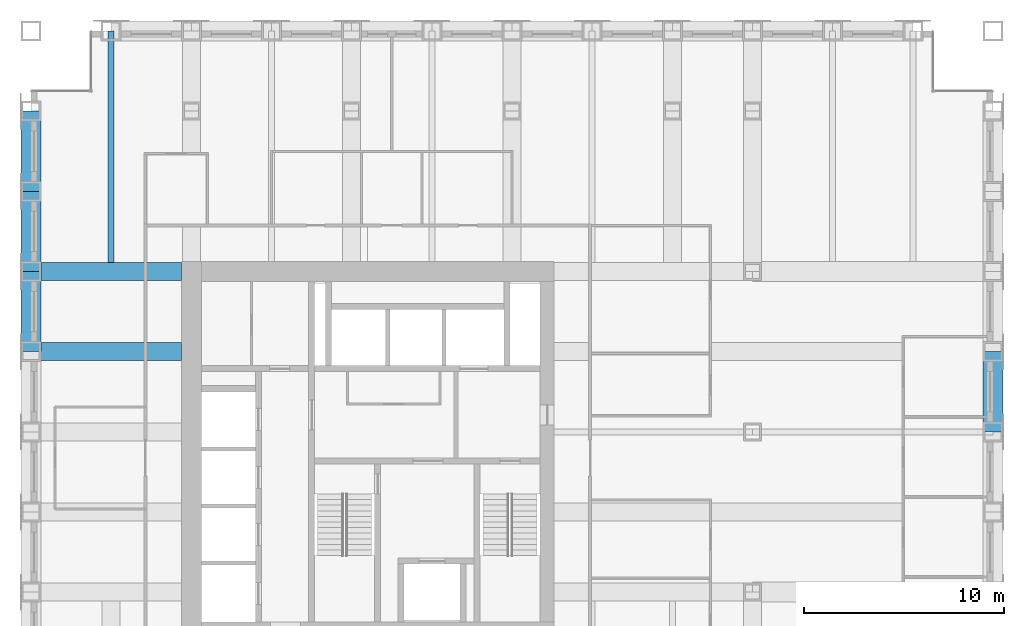
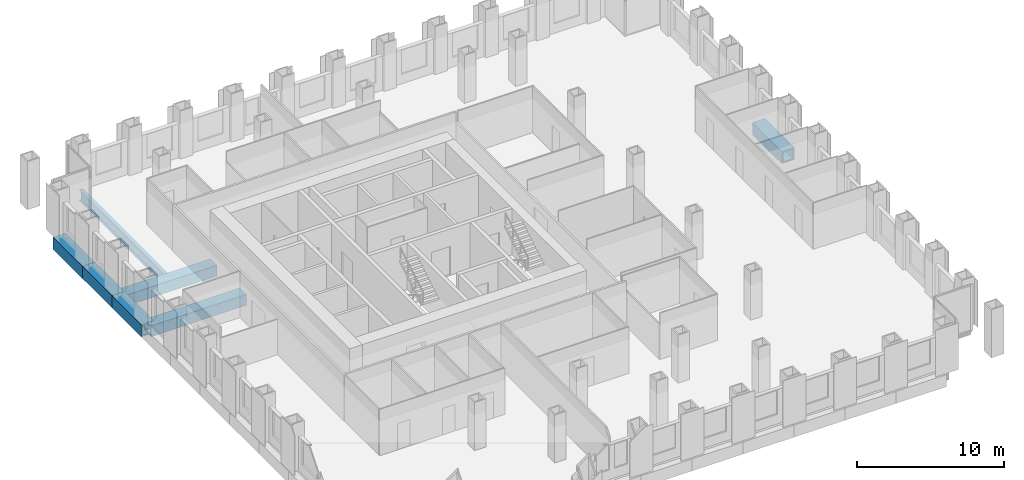
# One storey, part 5 of 16: 7 beams.
"""IFC4 building model written with IfcOpenShell, lengths in metres."""

from ifc_helpers import new_model, si_unit, direction, frame, origin, origin_2d, place, context, subcontext, project, spatial, hollow_rectangle, i_section, extrude, material, material_profile, profile_set, type_object, element, save


model = new_model("IFC4")

# Units and contexts
model_context = context("Model", 3, precision=1e-05, world=origin(), true_north=direction((0.0, 1.0)))
body_context = subcontext(model_context, "Body", "Model", "MODEL_VIEW")
ifc_project = project(units=[si_unit("LENGTHUNIT", "METRE"), si_unit("AREAUNIT", "SQUARE_METRE"), si_unit("VOLUMEUNIT", "CUBIC_METRE"), si_unit("PLANEANGLEUNIT", "RADIAN"), si_unit("MASSUNIT", "GRAM", prefix="KILO")], contexts=[model_context])

# Site, building, storey
site_placement = place(None, origin())
site = spatial("IfcSite", under=ifc_project, at=site_placement, CompositionType="ELEMENT")
building_placement = place(site_placement, origin())
building = spatial("IfcBuilding", under=site, at=building_placement, Name="Rimbunsela Tower", CompositionType="ELEMENT")
storey_placement = place(building_placement, frame((0.0, 0.0, 81.39990234375)))
storey = spatial("IfcBuildingStorey", under=building, at=storey_placement, Name="L19", CompositionType="ELEMENT", Elevation=81.39990234375)

# Beams
ifc_material_1 = material(Name="Steel BJ 55 (fy 410 MPa)", Category="steel")
ifc_material_profile_1 = material_profile(ifc_material_1, hollow_rectangle(XDim=1.0, YDim=1.0, WallThickness=0.10009765625, at=origin_2d()), Name="BOX 1000x1000x100")
ifc_profile_set_1 = profile_set([ifc_material_profile_1], Name="Steel BJ 55 (fy 410 MPa)")
beam_type_1 = type_object("IfcBeamType", Name="Beam BOX 1000x1000x100", PredefinedType="BEAM", material=ifc_profile_set_1)
for number, where, z_axis, x_axis, name in (
    (1, (10.0, 32.0, -0.64990234375), (0.0, 1.0, 0.0), (-1.0, 0.0, 0.0), "Beam B3 L19"),
    (2, (10.0, 36.0, -0.64990234375), (0.0, 1.0, 0.0), (-1.0, 0.0, 0.0), "Beam B3 L19"),
    (3, (10.0, 40.0, -0.64990234375), (0.0, 1.0, 0.0), (-1.0, 0.0, 0.0), "Beam B3 L19"),
    (4, (58.0, 28.0, -0.64990234375), (0.0, 1.0, 0.0), (-1.0, 0.0, 0.0), "Beam B3 L19"),
):
    element("IfcBeam", number, at=place(storey_placement, frame(where, z_axis=z_axis, x_axis=x_axis)), inside=storey, type_object=beam_type_1, Name=name, PredefinedType="BEAM", context=body_context, shape_type="SweptSolid", body=[
        extrude(hollow_rectangle(XDim=1.0, YDim=1.0, WallThickness=0.10009765625, at=origin_2d()), origin(), (0.0, 0.0, 1.0), 4.0),
    ])
ifc_material_2 = material(Name="Steel BJ 55 (fy 410 MPa)", Category="steel")
ifc_material_profile_2 = material_profile(ifc_material_2, hollow_rectangle(XDim=0.89990234375, YDim=0.89990234375, WallThickness=0.06005859375, at=origin_2d()), Name="BOX 900x900x60")
ifc_profile_set_2 = profile_set([ifc_material_profile_2], Name="Steel BJ 55 (fy 410 MPa)")
beam_type_2 = type_object("IfcBeamType", Name="Beam BOX 900x900x60", PredefinedType="BEAM", material=ifc_profile_set_2)
for number, where, z_axis, x_axis, name in (
    (5, (10.0, 32.0, -0.599853515625), (1.0, 0.0, 0.0), (0.0, 1.0, 0.0), "Beam B1 L19"),
    (6, (10.0, 36.0, -0.599853515625), (1.0, 0.0, 0.0), (0.0, 1.0, 0.0), "Beam B1 L19"),
):
    element("IfcBeam", number, at=place(storey_placement, frame(where, z_axis=z_axis, x_axis=x_axis)), inside=storey, type_object=beam_type_2, Name=name, PredefinedType="BEAM", context=body_context, shape_type="SweptSolid", body=[
        extrude(hollow_rectangle(XDim=0.89990234375, YDim=0.89990234375, WallThickness=0.06005859375, at=origin_2d()), origin(), (0.0, 0.0, 1.0), 7.5),
    ])
ifc_material_3 = material(Name="Steel BJ 55 (fy 410 MPa)", Category="steel")
ifc_material_profile_3 = material_profile(ifc_material_3, i_section(OverallWidth=0.300048828125, OverallDepth=0.89990234375, WebThickness=0.01611328125, FlangeThickness=0.028076171875, FilletRadius=0.028076171875, at=origin_2d()), Name="H 900x300x16x28")
ifc_profile_set_3 = profile_set([ifc_material_profile_3], Name="Steel BJ 55 (fy 410 MPa)")
beam_type_3 = type_object("IfcBeamType", Name="Beam H 900x300x16x28", PredefinedType="BEAM", material=ifc_profile_set_3)
beam_placement = place(storey_placement, frame((14.0, 36.449951171875, -0.599853515625), z_axis=(0.0, 1.0, 0.0), x_axis=(-1.0, 0.0, 0.0)))
element("IfcBeam", 7, at=beam_placement, inside=storey, type_object=beam_type_3, Name="Beam B2 L19", PredefinedType="BEAM", context=body_context, shape_type="SweptSolid", body=[
    extrude(i_section(OverallWidth=0.300048828125, OverallDepth=0.89990234375, WebThickness=0.01611328125, FlangeThickness=0.028076171875, FilletRadius=0.028076171875, at=origin_2d()), origin(), (0.0, 0.0, 1.0), 11.550048828125),
])

save(model, "model.ifc")
